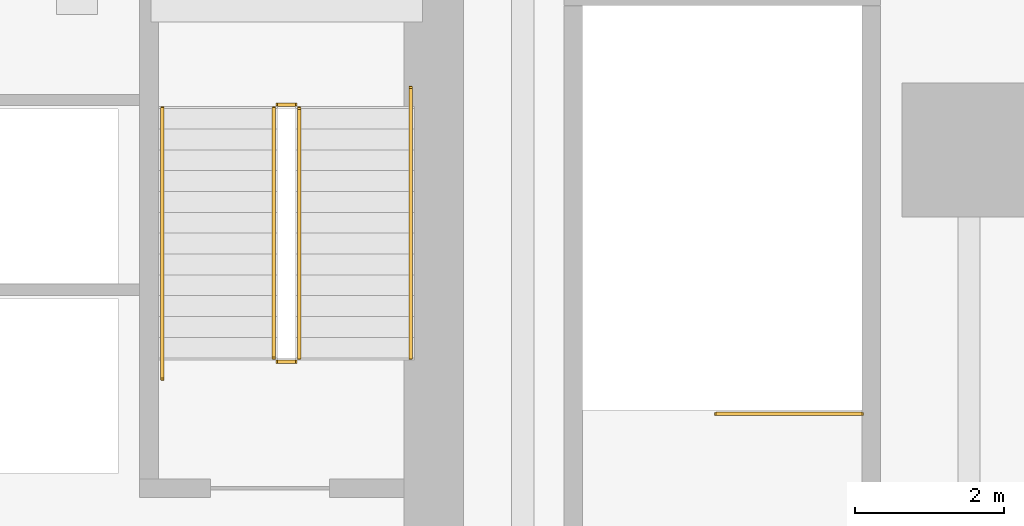
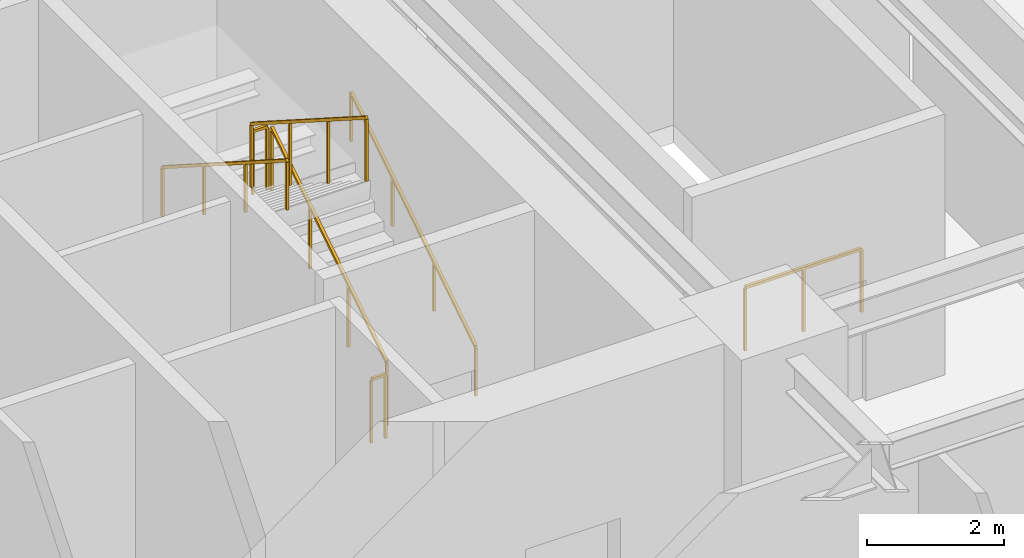
# One storey, part 14 of 15: 7 railings.
"""IFC4 building model written with IfcOpenShell, lengths in metres."""

from ifc_helpers import new_model, si_unit, direction, frame, origin, origin_2d, place, context, subcontext, project, spatial, rectangle, extrude, material, type_object, element, save


model = new_model("IFC4")

# Units and contexts
model_context = context("Model", 3, precision=1e-05, world=origin(), true_north=direction((0.0, 1.0)))
body_context = subcontext(model_context, "Body", "Model", "MODEL_VIEW")
ifc_project = project(units=[si_unit("LENGTHUNIT", "METRE"), si_unit("AREAUNIT", "SQUARE_METRE"), si_unit("VOLUMEUNIT", "CUBIC_METRE"), si_unit("PLANEANGLEUNIT", "RADIAN"), si_unit("MASSUNIT", "GRAM", prefix="KILO")], contexts=[model_context])

# Site, building, storey
site_placement = place(None, origin())
site = spatial("IfcSite", under=ifc_project, at=site_placement, CompositionType="ELEMENT")
building_placement = place(site_placement, origin())
building = spatial("IfcBuilding", under=site, at=building_placement, Name="Sumidabori Civic Tower", CompositionType="ELEMENT")
storey_placement = place(building_placement, frame((0.0, 0.0, 18.949951171875)))
storey = spatial("IfcBuildingStorey", under=building, at=storey_placement, Name="L04", CompositionType="ELEMENT", Elevation=18.949951171875)

# Railings
ifc_material_1 = material(Name="Stainless Steel Hairline Finish", Category="steel")
railing_type_1 = type_object("IfcRailingType", Name="RL-HANDRAIL", PredefinedType="HANDRAIL", material=ifc_material_1)
railing_1_placement = place(storey_placement, frame((15.2900390625, 16.0, 0.178955078125)))
element("IfcRailing", 1, at=railing_1_placement, inside=storey, type_object=railing_type_1, Name="L04 ST-2 stair handrail 1", PredefinedType="HANDRAIL", context=body_context, shape_type="SweptSolid", body=[
    extrude(rectangle(XDim=0.048095703125, YDim=0.048095703125, at=origin_2d()), frame((0.0, 0.0, 0.8759765625), z_axis=(0.0, 0.842367842277, 0.538902976701), x_axis=(-1.0, 0.0, 0.0)), (0.0, 0.0, 1.0), 4.321044921875),
    extrude(rectangle(XDim=0.0419921875, YDim=0.0419921875, at=origin_2d()), origin(), (0.0, 0.0, 1.0), 0.851806640625),
    extrude(rectangle(XDim=0.0419921875, YDim=0.0419921875, at=origin_2d()), frame((0.0, 1.21337890625, 0.776123046875)), (0.0, 0.0, 1.0), 0.851806640625),
    extrude(rectangle(XDim=0.0419921875, YDim=0.0419921875, at=origin_2d()), frame((0.0, 2.426513671875, 1.552490234375)), (0.0, 0.0, 1.0), 0.851806640625),
    extrude(rectangle(XDim=0.0419921875, YDim=0.0419921875, at=origin_2d()), frame((0.0, 3.639892578125, 2.32861328125)), (0.0, 0.0, 1.0), 0.851806640625),
])
railing_2_placement = place(storey_placement, frame((11.949951171875, 19.360107421875, 2.50390625)))
element("IfcRailing", 2, at=railing_2_placement, inside=storey, type_object=railing_type_1, Name="L04 ST-2 stair handrail 2", PredefinedType="HANDRAIL", context=body_context, shape_type="SweptSolid", body=[
    extrude(rectangle(XDim=0.048095703125, YDim=0.048095703125, at=origin_2d()), frame((0.0, 0.0, 0.8759765625), z_axis=(0.0, -0.842358602868, 0.538917418696), x_axis=(1.0, 0.0, 0.0)), (0.0, 0.0, 1.0), 4.3212890625),
    extrude(rectangle(XDim=0.0419921875, YDim=0.0419921875, at=origin_2d()), origin(), (0.0, 0.0, 1.0), 0.851806640625),
    extrude(rectangle(XDim=0.0419921875, YDim=0.0419921875, at=origin_2d()), frame((0.0, -1.21337890625, 0.7763671875)), (0.0, 0.0, 1.0), 0.851806640625),
    extrude(rectangle(XDim=0.0419921875, YDim=0.0419921875, at=origin_2d()), frame((0.0, -2.4267578125, 1.552490234375)), (0.0, 0.0, 1.0), 0.851806640625),
    extrude(rectangle(XDim=0.0419921875, YDim=0.0419921875, at=origin_2d()), frame((0.0, -3.64013671875, 2.328857421875)), (0.0, 0.0, 1.0), 0.851806640625),
])
ifc_material_2 = material(Name="Steel SN490", Category="steel")
railing_type_2 = type_object("IfcRailingType", Name="RL-STAIR-GUARD", PredefinedType="GUARDRAIL", material=ifc_material_2)
railing_3_placement = place(storey_placement, frame((13.7900390625, 16.0, 0.178955078125)))
element("IfcRailing", 3, at=railing_3_placement, inside=storey, type_object=railing_type_2, Name="L04 ST-2 stair guard 1", PredefinedType="GUARDRAIL", context=body_context, shape_type="SweptSolid", body=[
    extrude(rectangle(XDim=0.048095703125, YDim=0.048095703125, at=origin_2d()), frame((0.0, 0.0, 1.1259765625), z_axis=(0.0, 0.842780368268, 0.538257606414), x_axis=(-1.0, 0.0, 0.0)), (0.0, 0.0, 1.0), 3.98681640625),
    extrude(rectangle(XDim=0.0419921875, YDim=0.0419921875, at=origin_2d()), origin(), (0.0, 0.0, 1.0), 1.101806640625),
    extrude(rectangle(XDim=0.0419921875, YDim=0.0419921875, at=origin_2d()), frame((0.0, 1.1201171875, 0.71533203125)), (0.0, 0.0, 1.0), 1.101806640625),
    extrude(rectangle(XDim=0.0419921875, YDim=0.0419921875, at=origin_2d()), frame((0.0, 2.239990234375, 1.4306640625)), (0.0, 0.0, 1.0), 1.101806640625),
    extrude(rectangle(XDim=0.0419921875, YDim=0.0419921875, at=origin_2d()), frame((0.0, 3.360107421875, 2.14599609375)), (0.0, 0.0, 1.0), 1.101806640625),
])
railing_4_placement = place(storey_placement, frame((13.739990234375, 19.409912109375, 2.324951171875)))
element("IfcRailing", 4, at=railing_4_placement, inside=storey, type_object=railing_type_2, Name="L04 ST-2 stair guard 2", PredefinedType="GUARDRAIL", context=body_context, shape_type="SweptSolid", body=[
    extrude(rectangle(XDim=0.048095703125, YDim=0.048095703125, at=origin_2d()), frame((0.0, 0.0, 1.1259765625), z_axis=(-1.0, 0.0, 0.0), x_axis=(0.0, -1.0, 0.0)), (0.0, 0.0, 1.0), 0.239990234375),
    extrude(rectangle(XDim=0.0419921875, YDim=0.0419921875, at=origin_2d()), origin(), (0.0, 0.0, 1.0), 1.101806640625),
    extrude(rectangle(XDim=0.0419921875, YDim=0.0419921875, at=origin_2d()), frame((-0.239990234375, 0.0, 0.0)), (0.0, 0.0, 1.0), 1.101806640625),
])
railing_5_placement = place(storey_placement, frame((13.449951171875, 19.360107421875, 2.50390625)))
element("IfcRailing", 5, at=railing_5_placement, inside=storey, type_object=railing_type_2, Name="L04 ST-2 stair guard 3", PredefinedType="GUARDRAIL", context=body_context, shape_type="SweptSolid", body=[
    extrude(rectangle(XDim=0.048095703125, YDim=0.048095703125, at=origin_2d()), frame((0.0, 0.0, 1.1259765625), z_axis=(0.0, -0.842752589747, 0.538301098341), x_axis=(1.0, 0.0, 0.0)), (0.0, 0.0, 1.0), 3.987060546875),
    extrude(rectangle(XDim=0.0419921875, YDim=0.0419921875, at=origin_2d()), origin(), (0.0, 0.0, 1.0), 1.101806640625),
    extrude(rectangle(XDim=0.0419921875, YDim=0.0419921875, at=origin_2d()), frame((0.0, -1.1201171875, 0.71533203125)), (0.0, 0.0, 1.0), 1.101806640625),
    extrude(rectangle(XDim=0.0419921875, YDim=0.0419921875, at=origin_2d()), frame((0.0, -2.239990234375, 1.430908203125)), (0.0, 0.0, 1.0), 1.101806640625),
    extrude(rectangle(XDim=0.0419921875, YDim=0.0419921875, at=origin_2d()), frame((0.0, -3.360107421875, 2.146240234375)), (0.0, 0.0, 1.0), 1.101806640625),
])
railing_6_placement = place(storey_placement, frame((13.739990234375, 15.949951171875, 0.0)))
element("IfcRailing", 6, at=railing_6_placement, inside=storey, type_object=railing_type_2, Name="L04 ST-2 stair guard 4", PredefinedType="GUARDRAIL", context=body_context, shape_type="SweptSolid", body=[
    extrude(rectangle(XDim=0.048095703125, YDim=0.048095703125, at=origin_2d()), frame((0.0, 0.0, 1.1259765625), z_axis=(-1.0, 0.0, 0.0), x_axis=(0.0, -1.0, 0.0)), (0.0, 0.0, 1.0), 0.239990234375),
    extrude(rectangle(XDim=0.0419921875, YDim=0.0419921875, at=origin_2d()), origin(), (0.0, 0.0, 1.0), 1.101806640625),
    extrude(rectangle(XDim=0.0419921875, YDim=0.0419921875, at=origin_2d()), frame((-0.239990234375, 0.0, 0.0)), (0.0, 0.0, 1.0), 1.101806640625),
])
railing_7_placement = place(storey_placement, frame((21.360107421875, 15.25, 0.0)))
element("IfcRailing", 7, at=railing_7_placement, inside=storey, type_object=railing_type_2, Name="L04 ST-4 top well guard 1", PredefinedType="GUARDRAIL", context=body_context, shape_type="SweptSolid", body=[
    extrude(rectangle(XDim=0.048095703125, YDim=0.048095703125, at=origin_2d()), frame((0.0, 0.0, 1.1259765625), z_axis=(-1.0, 0.0, 0.0), x_axis=(0.0, -1.0, 0.0)), (0.0, 0.0, 1.0), 1.960205078125),
    extrude(rectangle(XDim=0.0419921875, YDim=0.0419921875, at=origin_2d()), origin(), (0.0, 0.0, 1.0), 1.101806640625),
    extrude(rectangle(XDim=0.0419921875, YDim=0.0419921875, at=origin_2d()), frame((-0.97998046875, 0.0, 0.0)), (0.0, 0.0, 1.0), 1.101806640625),
    extrude(rectangle(XDim=0.0419921875, YDim=0.0419921875, at=origin_2d()), frame((-1.960205078125, 0.0, 0.0)), (0.0, 0.0, 1.0), 1.101806640625),
])

save(model, "model.ifc")
